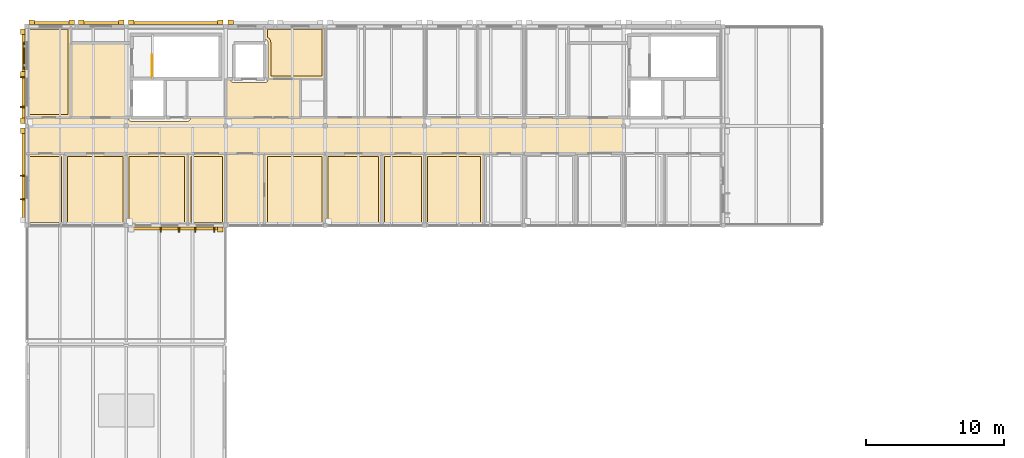
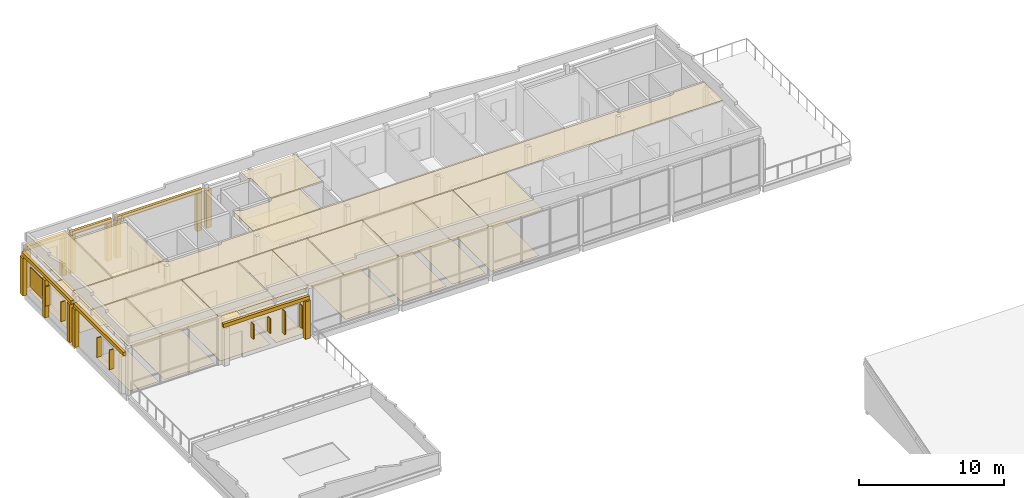
# One storey, part 30 of 32: 42 coverings, 9 shading devices, 1 railing.
"""IFC4 building model written with IfcOpenShell, lengths in metres."""

from ifc_helpers import new_model, si_unit, direction, frame, origin, origin_2d, place, context, subcontext, project, spatial, polyline, rectangle, circle, outline, extrude, material, layer, layer_set, type_object, element, save


model = new_model("IFC4")

# Units and contexts
model_context = context("Model", 3, precision=1e-05, world=origin(), true_north=direction((0.0, 1.0)))
body_context = subcontext(model_context, "Body", "Model", "MODEL_VIEW")
ifc_project = project(units=[si_unit("LENGTHUNIT", "METRE"), si_unit("AREAUNIT", "SQUARE_METRE"), si_unit("VOLUMEUNIT", "CUBIC_METRE"), si_unit("PLANEANGLEUNIT", "RADIAN"), si_unit("MASSUNIT", "GRAM", prefix="KILO")], contexts=[model_context])

# Site, building, storey
site_placement = place(None, origin())
site = spatial("IfcSite", under=ifc_project, at=site_placement, CompositionType="ELEMENT")
building_placement = place(site_placement, origin())
building = spatial("IfcBuilding", under=site, at=building_placement, Name="Hawrajan Terrace Health Centre", CompositionType="ELEMENT")
storey_placement = place(building_placement, frame((0.0, 0.0, 17.39990234375)))
storey = spatial("IfcBuildingStorey", under=building, at=storey_placement, Name="L04", CompositionType="ELEMENT", Elevation=17.39990234375)

# Coverings
ifc_material_1 = material(Name="Precast concrete C40/50", Category="concrete")
ifc_layer_1 = layer(ifc_material_1, 0.219970703125)
ifc_layer_set_1 = layer_set([ifc_layer_1], Name="Precast concrete C40/50")
covering_type_1 = type_object("IfcCoveringType", Name="ArtDecoCorniceBand", PredefinedType="CLADDING", material=ifc_layer_set_1)
covering_1_placement = place(storey_placement, frame((4.364990234375, 49.010009765625, 3.18017578125), z_axis=(0.0, 0.0, 1.0), x_axis=(0.0, 1.0, 0.0)))
element("IfcCovering", 1, at=covering_1_placement, inside=storey, type_object=covering_type_1, Name="Art Deco limestone cornice band CRN-L04-0190", PredefinedType="CLADDING", context=body_context, shape_type="SweptSolid", body=[
    extrude(rectangle(XDim=6.860107421875, YDim=0.219970703125, at=origin_2d()), origin(), (0.0, 0.0, 1.0), 0.300048828125),
])
covering_2_placement = place(storey_placement, frame((6.419921875, 60.034912109375, 3.18017578125), z_axis=(0.0, 0.0, 1.0), x_axis=(1.0, 0.0, 0.0)))
element("IfcCovering", 2, at=covering_2_placement, inside=storey, type_object=covering_type_1, Name="Art Deco limestone cornice band CRN-L04-0191", PredefinedType="CLADDING", context=body_context, shape_type="SweptSolid", body=[
    extrude(rectangle(XDim=3.280029296875, YDim=0.219970703125, at=origin_2d()), origin(), (0.0, 0.0, 1.0), 0.300048828125),
])
covering_3_placement = place(storey_placement, frame((9.989990234375, 60.034912109375, 3.18017578125), z_axis=(0.0, 0.0, 1.0), x_axis=(1.0, 0.0, 0.0)))
element("IfcCovering", 3, at=covering_3_placement, inside=storey, type_object=covering_type_1, Name="Art Deco limestone cornice band CRN-L04-0192", PredefinedType="CLADDING", context=body_context, shape_type="SweptSolid", body=[
    extrude(rectangle(XDim=3.300048828125, YDim=0.219970703125, at=origin_2d()), origin(), (0.0, 0.0, 1.0), 0.300048828125),
])
for number, where, z_axis, x_axis, name in (
    (4, (4.364990234375, 56.18994140625, 3.18017578125), (0.0, 0.0, 1.0), (0.0, 1.0, 0.0), "Art Deco limestone cornice band CRN-L04-0193"),
    (5, (15.389892578125, 45.1650390625, 3.18017578125), (0.0, 0.0, 1.0), (1.0, 0.0, 0.0), "Art Deco limestone cornice band CRN-L04-0194"),
    (6, (15.389892578125, 60.034912109375, 3.18017578125), (0.0, 0.0, 1.0), (1.0, 0.0, 0.0), "Art Deco limestone cornice band CRN-L04-0195"),
):
    element("IfcCovering", number, at=place(storey_placement, frame(where, z_axis=z_axis, x_axis=x_axis)), inside=storey, type_object=covering_type_1, Name=name, PredefinedType="CLADDING", context=body_context, shape_type="SweptSolid", body=[
        extrude(rectangle(XDim=6.860107421875, YDim=0.219970703125, at=origin_2d()), origin(), (0.0, 0.0, 1.0), 0.300048828125),
    ])
ifc_layer_2 = layer(ifc_material_1, 0.340087890625)
ifc_layer_set_2 = layer_set([ifc_layer_2], Name="Precast concrete C40/50")
covering_type_2 = type_object("IfcCoveringType", Name="ArtDecoStonePilaster", PredefinedType="CLADDING", material=ifc_layer_set_2)
for number, where, z_axis, x_axis, name in (
    (7, (4.304931640625, 52.239990234375, 0.000244140625), (0.0, 0.0, 1.0), (0.0, 1.0, 0.0), "Art Deco fluted limestone pilaster FPIL-L04-0380"),
    (8, (4.97998046875, 60.094970703125, 0.000244140625), (0.0, 0.0, 1.0), (1.0, 0.0, 0.0), "Art Deco fluted limestone pilaster FPIL-L04-0381"),
    (9, (7.860107421875, 60.094970703125, 0.000244140625), (0.0, 0.0, 1.0), (1.0, 0.0, 0.0), "Art Deco fluted limestone pilaster FPIL-L04-0382"),
    (10, (8.5400390625, 60.094970703125, 0.000244140625), (0.0, 0.0, 1.0), (1.0, 0.0, 0.0), "Art Deco fluted limestone pilaster FPIL-L04-0383"),
    (11, (11.43994140625, 60.094970703125, 0.000244140625), (0.0, 0.0, 1.0), (1.0, 0.0, 0.0), "Art Deco fluted limestone pilaster FPIL-L04-0384"),
    (12, (4.304931640625, 52.9599609375, 0.000244140625), (0.0, 0.0, 1.0), (0.0, 1.0, 0.0), "Art Deco fluted limestone pilaster FPIL-L04-0385"),
    (13, (4.304931640625, 59.419921875, 0.000244140625), (0.0, 0.0, 1.0), (0.0, 1.0, 0.0), "Art Deco fluted limestone pilaster FPIL-L04-0386"),
):
    element("IfcCovering", number, at=place(storey_placement, frame(where, z_axis=z_axis, x_axis=x_axis)), inside=storey, type_object=covering_type_2, Name=name, PredefinedType="CLADDING", context=body_context, shape_type="SweptSolid", body=[
        extrude(rectangle(XDim=0.39990234375, YDim=0.340087890625, at=origin_2d()), origin(), (0.0, 0.0, 1.0), 3.169921875),
    ])
covering_4_placement = place(storey_placement, frame((4.304931640625, 56.360107421875, 0.000244140625), z_axis=(0.0, 0.0, 1.0), x_axis=(0.0, 1.0, 0.0)))
element("IfcCovering", 14, at=covering_4_placement, inside=storey, type_object=covering_type_2, Name="Art Deco mullion pilaster FPIL-L04-0387", PredefinedType="CLADDING", context=body_context, shape_type="SweptSolid", body=[
    extrude(rectangle(XDim=0.360107421875, YDim=0.340087890625, at=origin_2d()), origin(), (0.0, 0.0, 1.0), 3.169921875),
])
for number, where, z_axis, x_axis, name in (
    (15, (18.6201171875, 45.10498046875, 0.000244140625), (0.0, 0.0, 1.0), (1.0, 0.0, 0.0), "Art Deco fluted limestone pilaster FPIL-L04-0389"),
    (16, (12.159912109375, 60.094970703125, 0.000244140625), (0.0, 0.0, 1.0), (1.0, 0.0, 0.0), "Art Deco fluted limestone pilaster FPIL-L04-0390"),
    (17, (18.6201171875, 60.094970703125, 0.000244140625), (0.0, 0.0, 1.0), (1.0, 0.0, 0.0), "Art Deco fluted limestone pilaster FPIL-L04-0391"),
    (18, (19.3798828125, 60.094970703125, 0.000244140625), (0.0, 0.0, 1.0), (1.0, 0.0, 0.0), "Art Deco fluted limestone pilaster FPIL-L04-0392"),
):
    element("IfcCovering", number, at=place(storey_placement, frame(where, z_axis=z_axis, x_axis=x_axis)), inside=storey, type_object=covering_type_2, Name=name, PredefinedType="CLADDING", context=body_context, shape_type="SweptSolid", body=[
        extrude(rectangle(XDim=0.39990234375, YDim=0.340087890625, at=origin_2d()), origin(), (0.0, 0.0, 1.0), 3.169921875),
    ])
ifc_material_2 = material(Name="Hygienic mineral-fibre acoustic tile ceiling")
ifc_layer_3 = layer(ifc_material_2, 0.02490234375)
ifc_layer_set_3 = layer_set([ifc_layer_3], Name="Hygienic mineral-fibre acoustic tile ceiling")
covering_type_3 = type_object("IfcCoveringType", Name="ClinicalAcousticCeiling_25", PredefinedType="CEILING", material=ifc_layer_set_3)
covering_5_placement = place(storey_placement, frame((0.0, 0.0, 3.905029296875)))
element("IfcCovering", 19, at=covering_5_placement, inside=storey, type_object=covering_type_3, Name="Suspended ceiling L04-008", PredefinedType="CEILING", context=body_context, shape_type="SweptSolid", body=[
    extrude(outline(polyline([(7.820068359375, 53.219970703125), (7.820068359375, 58.580078125), (11.929931640625, 58.580078125), (11.929931640625, 53.219970703125), (7.820068359375, 53.219970703125)])), origin(), (0.0, 0.0, 1.0), 0.025146484375),
])
covering_6_placement = place(storey_placement, frame((0.0, 0.0, 3.905029296875)))
element("IfcCovering", 20, at=covering_6_placement, inside=storey, type_object=covering_type_3, Name="Suspended ceiling L04-010", PredefinedType="CEILING", context=body_context, shape_type="SweptSolid", body=[
    extrude(outline(polyline([(24.3798828125, 55.97998046875), (24.3798828125, 53.219970703125), (19.02001953125, 53.219970703125), (19.02001953125, 55.97998046875), (19.3310546875, 55.97998046875), (19.331298828125, 55.974609375), (19.331298828125, 55.97265625), (19.3349609375, 55.9482421875), (19.33544921875, 55.9462890625), (19.34130859375, 55.922607421875), (19.341796875, 55.920654296875), (19.35009765625, 55.897705078125), (19.35107421875, 55.895751953125), (19.361328125, 55.87353515625), (19.3623046875, 55.871826171875), (19.375, 55.850830078125), (19.376220703125, 55.84912109375), (19.390625, 55.82958984375), (19.391845703125, 55.827880859375), (19.408447265625, 55.809814453125), (19.409912109375, 55.808349609375), (19.427978515625, 55.7919921875), (19.429443359375, 55.790771484375), (19.44921875, 55.776123046875), (19.45068359375, 55.77490234375), (19.471923828125, 55.762451171875), (19.4736328125, 55.761474609375), (19.495849609375, 55.7509765625), (19.49755859375, 55.750244140625), (19.520751953125, 55.741943359375), (19.522705078125, 55.741455078125), (19.54638671875, 55.7353515625), (19.54833984375, 55.735107421875), (19.572509765625, 55.7314453125), (19.574462890625, 55.731201171875), (19.59912109375, 55.72998046875), (19.60009765625, 55.72998046875), (21.800048828125, 55.72998046875), (21.801025390625, 55.72998046875), (21.825439453125, 55.731201171875), (21.827392578125, 55.7314453125), (21.851806640625, 55.735107421875), (21.853515625, 55.7353515625), (21.87744140625, 55.741455078125), (21.87939453125, 55.741943359375), (21.90234375, 55.750244140625), (21.904296875, 55.7509765625), (21.926513671875, 55.761474609375), (21.927978515625, 55.762451171875), (21.94921875, 55.77490234375), (21.95068359375, 55.776123046875), (21.970458984375, 55.790771484375), (21.971923828125, 55.7919921875), (21.990234375, 55.808349609375), (21.99169921875, 55.809814453125), (22.008056640625, 55.827880859375), (22.00927734375, 55.82958984375), (22.02392578125, 55.84912109375), (22.02490234375, 55.850830078125), (22.03759765625, 55.871826171875), (22.03857421875, 55.87353515625), (22.049072265625, 55.895751953125), (22.0498046875, 55.897705078125), (22.05810546875, 55.920654296875), (22.05859375, 55.922607421875), (22.064697265625, 55.9462890625), (22.06494140625, 55.9482421875), (22.068603515625, 55.97265625), (22.06884765625, 55.974609375), (22.069091796875, 55.97998046875), (24.3798828125, 55.97998046875)])), origin(), (0.0, 0.0, 1.0), 0.025146484375),
])
covering_7_placement = place(storey_placement, frame((0.0, 0.0, 3.905029296875)))
element("IfcCovering", 21, at=covering_7_placement, inside=storey, type_object=covering_type_3, Name="Suspended ceiling L04-011", PredefinedType="CEILING", context=body_context, shape_type="SweptSolid", body=[
    extrude(outline(polyline([(54.97998046875, 53.179931640625), (54.97998046875, 50.6201171875), (4.6201171875, 50.6201171875), (4.6201171875, 53.179931640625), (11.930908203125, 53.179931640625), (11.93115234375, 53.174560546875), (11.931396484375, 53.172607421875), (11.93505859375, 53.148193359375), (11.935302734375, 53.146484375), (11.94140625, 53.12255859375), (11.94189453125, 53.12060546875), (11.9501953125, 53.09765625), (11.950927734375, 53.095703125), (11.96142578125, 53.073486328125), (11.96240234375, 53.072021484375), (11.97509765625, 53.05078125), (11.97607421875, 53.04931640625), (11.99072265625, 53.029541015625), (11.991943359375, 53.028076171875), (12.00830078125, 53.009765625), (12.009765625, 53.00830078125), (12.028076171875, 52.991943359375), (12.029541015625, 52.99072265625), (12.04931640625, 52.97607421875), (12.05078125, 52.97509765625), (12.072021484375, 52.96240234375), (12.073486328125, 52.96142578125), (12.095703125, 52.950927734375), (12.09765625, 52.9501953125), (12.12060546875, 52.94189453125), (12.12255859375, 52.94140625), (12.146484375, 52.935302734375), (12.148193359375, 52.93505859375), (12.172607421875, 52.931396484375), (12.174560546875, 52.93115234375), (12.198974609375, 52.929931640625), (12.199951171875, 52.929931640625), (16.199951171875, 52.929931640625), (16.200927734375, 52.929931640625), (16.2255859375, 52.93115234375), (16.227294921875, 52.931396484375), (16.251708984375, 52.93505859375), (16.253662109375, 52.935302734375), (16.27734375, 52.94140625), (16.279296875, 52.94189453125), (16.302490234375, 52.9501953125), (16.30419921875, 52.950927734375), (16.326416015625, 52.96142578125), (16.328125, 52.96240234375), (16.34912109375, 52.97509765625), (16.350830078125, 52.97607421875), (16.37060546875, 52.99072265625), (16.3720703125, 52.991943359375), (16.39013671875, 53.00830078125), (16.3916015625, 53.009765625), (16.408203125, 53.028076171875), (16.4091796875, 53.029541015625), (16.423828125, 53.04931640625), (16.425048828125, 53.05078125), (16.4375, 53.072021484375), (16.438720703125, 53.073486328125), (16.448974609375, 53.095703125), (16.44970703125, 53.09765625), (16.4580078125, 53.12060546875), (16.45849609375, 53.12255859375), (16.464599609375, 53.146484375), (16.465087890625, 53.148193359375), (16.468505859375, 53.172607421875), (16.46875, 53.174560546875), (16.468994140625, 53.179931640625), (47.930908203125, 53.179931640625), (47.93115234375, 53.174560546875), (47.931396484375, 53.172607421875), (47.93505859375, 53.148193359375), (47.935302734375, 53.146484375), (47.94140625, 53.12255859375), (47.94189453125, 53.12060546875), (47.9501953125, 53.09765625), (47.950927734375, 53.095703125), (47.96142578125, 53.073486328125), (47.96240234375, 53.072021484375), (47.97509765625, 53.05078125), (47.97607421875, 53.04931640625), (47.99072265625, 53.029541015625), (47.991943359375, 53.028076171875), (48.00830078125, 53.009765625), (48.009765625, 53.00830078125), (48.028076171875, 52.991943359375), (48.029541015625, 52.99072265625), (48.04931640625, 52.97607421875), (48.05078125, 52.97509765625), (48.072021484375, 52.96240234375), (48.073486328125, 52.96142578125), (48.095703125, 52.950927734375), (48.09765625, 52.9501953125), (48.12060546875, 52.94189453125), (48.12255859375, 52.94140625), (48.146484375, 52.935302734375), (48.148193359375, 52.93505859375), (48.172607421875, 52.931396484375), (48.174560546875, 52.93115234375), (48.198974609375, 52.929931640625), (48.199951171875, 52.929931640625), (52.199951171875, 52.929931640625), (52.200927734375, 52.929931640625), (52.2255859375, 52.93115234375), (52.227294921875, 52.931396484375), (52.251708984375, 52.93505859375), (52.253662109375, 52.935302734375), (52.27734375, 52.94140625), (52.279296875, 52.94189453125), (52.302490234375, 52.9501953125), (52.30419921875, 52.950927734375), (52.326416015625, 52.96142578125), (52.328125, 52.96240234375), (52.34912109375, 52.97509765625), (52.350830078125, 52.97607421875), (52.37060546875, 52.99072265625), (52.3720703125, 52.991943359375), (52.39013671875, 53.00830078125), (52.3916015625, 53.009765625), (52.408203125, 53.028076171875), (52.4091796875, 53.029541015625), (52.423828125, 53.04931640625), (52.425048828125, 53.05078125), (52.4375, 53.072021484375), (52.438720703125, 53.073486328125), (52.448974609375, 53.095703125), (52.44970703125, 53.09765625), (52.4580078125, 53.12060546875), (52.45849609375, 53.12255859375), (52.464599609375, 53.146484375), (52.465087890625, 53.148193359375), (52.468505859375, 53.172607421875), (52.46875, 53.174560546875), (52.468994140625, 53.179931640625), (54.97998046875, 53.179931640625)])), origin(), (0.0, 0.0, 1.0), 0.025146484375),
])
covering_8_placement = place(storey_placement, frame((0.0, 0.0, 3.905029296875)))
element("IfcCovering", 22, at=covering_8_placement, inside=storey, type_object=covering_type_3, Name="Suspended ceiling L04-012", PredefinedType="CEILING", context=body_context, shape_type="SweptSolid", body=[
    extrude(outline(polyline([(19.02001953125, 50.580078125), (21.780029296875, 50.580078125), (21.780029296875, 45.419921875), (19.02001953125, 45.419921875), (19.02001953125, 50.580078125)])), origin(), (0.0, 0.0, 1.0), 0.025146484375),
])
covering_9_placement = place(storey_placement, frame((0.0, 0.0, 3.905029296875)))
element("IfcCovering", 23, at=covering_9_placement, inside=storey, type_object=covering_type_3, Name="Suspended ceiling L04-015", PredefinedType="CEILING", context=body_context, shape_type="SweptSolid", body=[
    extrude(outline(polyline([(4.6201171875, 50.580078125), (7.3232421875, 50.580078125), (7.3232421875, 45.419921875), (4.6201171875, 45.419921875), (4.6201171875, 50.580078125)])), origin(), (0.0, 0.0, 1.0), 0.025146484375),
])
covering_10_placement = place(storey_placement, frame((0.0, 0.0, 3.905029296875)))
element("IfcCovering", 24, at=covering_10_placement, inside=storey, type_object=covering_type_3, Name="Suspended ceiling L04-016", PredefinedType="CEILING", context=body_context, shape_type="SweptSolid", body=[
    extrude(outline(polyline([(7.36328125, 50.580078125), (11.780029296875, 50.580078125), (11.780029296875, 45.419921875), (7.36328125, 45.419921875), (7.36328125, 50.580078125)])), origin(), (0.0, 0.0, 1.0), 0.025146484375),
])
covering_11_placement = place(storey_placement, frame((0.0, 0.0, 3.905029296875)))
element("IfcCovering", 25, at=covering_11_placement, inside=storey, type_object=covering_type_3, Name="Suspended ceiling L04-017", PredefinedType="CEILING", context=body_context, shape_type="SweptSolid", body=[
    extrude(outline(polyline([(4.6201171875, 59.780029296875), (7.780029296875, 59.780029296875), (7.780029296875, 53.219970703125), (4.6201171875, 53.219970703125), (4.6201171875, 59.780029296875)])), origin(), (0.0, 0.0, 1.0), 0.025146484375),
])
covering_12_placement = place(storey_placement, frame((0.0, 0.0, 3.905029296875)))
element("IfcCovering", 26, at=covering_12_placement, inside=storey, type_object=covering_type_3, Name="Suspended ceiling L04-018", PredefinedType="CEILING", context=body_context, shape_type="SweptSolid", body=[
    extrude(outline(polyline([(11.820068359375, 50.580078125), (16.23681640625, 50.580078125), (16.23681640625, 45.419921875), (11.820068359375, 45.419921875), (11.820068359375, 50.580078125)])), origin(), (0.0, 0.0, 1.0), 0.025146484375),
])
covering_13_placement = place(storey_placement, frame((0.0, 0.0, 3.905029296875)))
element("IfcCovering", 27, at=covering_13_placement, inside=storey, type_object=covering_type_3, Name="Suspended ceiling L04-019", PredefinedType="CEILING", context=body_context, shape_type="SweptSolid", body=[
    extrude(outline(polyline([(16.27685546875, 50.580078125), (18.97998046875, 50.580078125), (18.97998046875, 45.419921875), (16.27685546875, 45.419921875), (16.27685546875, 50.580078125)])), origin(), (0.0, 0.0, 1.0), 0.025146484375),
])
covering_14_placement = place(storey_placement, frame((0.0, 0.0, 3.905029296875)))
element("IfcCovering", 28, at=covering_14_placement, inside=storey, type_object=covering_type_3, Name="Suspended ceiling L04-020", PredefinedType="CEILING", context=body_context, shape_type="SweptSolid", body=[
    extrude(outline(polyline([(21.820068359375, 50.580078125), (26.179931640625, 50.580078125), (26.179931640625, 45.419921875), (21.820068359375, 45.419921875), (21.820068359375, 50.580078125)])), origin(), (0.0, 0.0, 1.0), 0.025146484375),
])
covering_15_placement = place(storey_placement, frame((0.0, 0.0, 3.905029296875)))
element("IfcCovering", 29, at=covering_15_placement, inside=storey, type_object=covering_type_3, Name="Suspended ceiling L04-021", PredefinedType="CEILING", context=body_context, shape_type="SweptSolid", body=[
    extrude(outline(polyline([(21.820068359375, 59.780029296875), (26.179931640625, 59.780029296875), (26.179931640625, 56.02001953125), (22.070068359375, 56.02001953125), (22.070068359375, 58.60009765625), (22.070068359375, 58.60107421875), (22.06884765625, 58.62548828125), (22.068603515625, 58.62744140625), (22.06494140625, 58.651611328125), (22.064697265625, 58.653564453125), (22.05859375, 58.677490234375), (22.05810546875, 58.67919921875), (22.0498046875, 58.702392578125), (22.049072265625, 58.7041015625), (22.03857421875, 58.726318359375), (22.03759765625, 58.72802734375), (22.02490234375, 58.749267578125), (22.02392578125, 58.750732421875), (22.00927734375, 58.7705078125), (22.008056640625, 58.77197265625), (21.99169921875, 58.790283203125), (21.990234375, 58.79150390625), (21.971923828125, 58.80810546875), (21.970458984375, 58.809326171875), (21.95068359375, 58.823974609375), (21.94921875, 58.824951171875), (21.927978515625, 58.837646484375), (21.926513671875, 58.838623046875), (21.904296875, 58.84912109375), (21.90234375, 58.849853515625), (21.87939453125, 58.858154296875), (21.87744140625, 58.858642578125), (21.853515625, 58.864501953125), (21.851806640625, 58.864990234375), (21.827392578125, 58.86865234375), (21.825439453125, 58.868896484375), (21.820068359375, 58.868896484375), (21.820068359375, 59.780029296875)])), origin(), (0.0, 0.0, 1.0), 0.025146484375),
])
covering_16_placement = place(storey_placement, frame((0.0, 0.0, 3.905029296875)))
element("IfcCovering", 30, at=covering_16_placement, inside=storey, type_object=covering_type_3, Name="Suspended ceiling L04-022", PredefinedType="CEILING", context=body_context, shape_type="SweptSolid", body=[
    extrude(outline(polyline([(26.219970703125, 50.580078125), (30.26953125, 50.580078125), (30.26953125, 45.419921875), (26.219970703125, 45.419921875), (26.219970703125, 50.580078125)])), origin(), (0.0, 0.0, 1.0), 0.025146484375),
])
covering_17_placement = place(storey_placement, frame((0.0, 0.0, 3.905029296875)))
element("IfcCovering", 31, at=covering_17_placement, inside=storey, type_object=covering_type_3, Name="Suspended ceiling L04-023", PredefinedType="CEILING", context=body_context, shape_type="SweptSolid", body=[
    extrude(outline(polyline([(30.3095703125, 50.580078125), (33.3798828125, 50.580078125), (33.3798828125, 45.419921875), (30.3095703125, 45.419921875), (30.3095703125, 50.580078125)])), origin(), (0.0, 0.0, 1.0), 0.025146484375),
])
covering_18_placement = place(storey_placement, frame((0.0, 0.0, 3.905029296875)))
element("IfcCovering", 32, at=covering_18_placement, inside=storey, type_object=covering_type_3, Name="Suspended ceiling L04-024", PredefinedType="CEILING", context=body_context, shape_type="SweptSolid", body=[
    extrude(outline(polyline([(33.419921875, 50.580078125), (37.649658203125, 50.580078125), (37.649658203125, 45.419921875), (33.419921875, 45.419921875), (33.419921875, 50.580078125)])), origin(), (0.0, 0.0, 1.0), 0.025146484375),
])
ifc_material_3 = material(Name="Seamless medical-grade cushioned vinyl flooring")
ifc_layer_4 = layer(ifc_material_3, 0.011962890625)
ifc_layer_set_4 = layer_set([ifc_layer_4], Name="Seamless medical-grade cushioned vinyl flooring")
covering_type_4 = type_object("IfcCoveringType", Name="ClinicalVinylFlooring_12", PredefinedType="FLOORING", material=ifc_layer_set_4)
covering_19_placement = place(storey_placement, origin())
element("IfcCovering", 33, at=covering_19_placement, inside=storey, type_object=covering_type_4, Name="Floor finish L04-015", PredefinedType="FLOORING", context=body_context, shape_type="SweptSolid", body=[
    extrude(outline(polyline([(4.820068359375, 50.3798828125), (7.123291015625, 50.3798828125), (7.123291015625, 45.6201171875), (4.820068359375, 45.6201171875), (4.820068359375, 50.3798828125)])), origin(), (0.0, 0.0, 1.0), 0.01220703125),
])
covering_20_placement = place(storey_placement, origin())
element("IfcCovering", 34, at=covering_20_placement, inside=storey, type_object=covering_type_4, Name="Floor finish L04-016", PredefinedType="FLOORING", context=body_context, shape_type="SweptSolid", body=[
    extrude(outline(polyline([(7.563232421875, 50.3798828125), (11.580078125, 50.3798828125), (11.580078125, 45.6201171875), (7.563232421875, 45.6201171875), (7.563232421875, 50.3798828125)])), origin(), (0.0, 0.0, 1.0), 0.01220703125),
])
covering_21_placement = place(storey_placement, origin())
element("IfcCovering", 35, at=covering_21_placement, inside=storey, type_object=covering_type_4, Name="Floor finish L04-017", PredefinedType="FLOORING", context=body_context, shape_type="SweptSolid", body=[
    extrude(outline(polyline([(4.820068359375, 59.580078125), (7.580078125, 59.580078125), (7.580078125, 53.419921875), (4.820068359375, 53.419921875), (4.820068359375, 59.580078125)])), origin(), (0.0, 0.0, 1.0), 0.01220703125),
])
covering_22_placement = place(storey_placement, origin())
element("IfcCovering", 36, at=covering_22_placement, inside=storey, type_object=covering_type_4, Name="Floor finish L04-018", PredefinedType="FLOORING", context=body_context, shape_type="SweptSolid", body=[
    extrude(outline(polyline([(12.02001953125, 50.3798828125), (16.036865234375, 50.3798828125), (16.036865234375, 45.6201171875), (12.02001953125, 45.6201171875), (12.02001953125, 50.3798828125)])), origin(), (0.0, 0.0, 1.0), 0.01220703125),
])
covering_23_placement = place(storey_placement, origin())
element("IfcCovering", 37, at=covering_23_placement, inside=storey, type_object=covering_type_4, Name="Floor finish L04-019", PredefinedType="FLOORING", context=body_context, shape_type="SweptSolid", body=[
    extrude(outline(polyline([(16.476806640625, 50.3798828125), (18.780029296875, 50.3798828125), (18.780029296875, 45.6201171875), (16.476806640625, 45.6201171875), (16.476806640625, 50.3798828125)])), origin(), (0.0, 0.0, 1.0), 0.01220703125),
])
covering_24_placement = place(storey_placement, origin())
element("IfcCovering", 38, at=covering_24_placement, inside=storey, type_object=covering_type_4, Name="Floor finish L04-020", PredefinedType="FLOORING", context=body_context, shape_type="SweptSolid", body=[
    extrude(outline(polyline([(22.02001953125, 50.3798828125), (25.97998046875, 50.3798828125), (25.97998046875, 45.6201171875), (22.02001953125, 45.6201171875), (22.02001953125, 50.3798828125)])), origin(), (0.0, 0.0, 1.0), 0.01220703125),
])
covering_25_placement = place(storey_placement, origin())
element("IfcCovering", 39, at=covering_25_placement, inside=storey, type_object=covering_type_4, Name="Floor finish L04-021", PredefinedType="FLOORING", context=body_context, shape_type="SweptSolid", body=[
    extrude(outline(polyline([(22.02001953125, 59.015380859375), (22.02001953125, 59.580078125), (25.97998046875, 59.580078125), (25.97998046875, 56.219970703125), (22.27001953125, 56.219970703125), (22.27001953125, 58.60009765625), (22.27001953125, 58.60498046875), (22.27001953125, 58.60595703125), (22.269775390625, 58.61083984375), (22.2685546875, 58.63525390625), (22.267822265625, 58.64501953125), (22.267578125, 58.64697265625), (22.266357421875, 58.65673828125), (22.2626953125, 58.68115234375), (22.260986328125, 58.690673828125), (22.2607421875, 58.692626953125), (22.258544921875, 58.7021484375), (22.252685546875, 58.72607421875), (22.25, 58.735595703125), (22.24951171875, 58.7373046875), (22.246337890625, 58.74658203125), (22.238037109375, 58.769775390625), (22.234619140625, 58.77880859375), (22.23388671875, 58.78076171875), (22.229736328125, 58.789794921875), (22.219482421875, 58.81201171875), (22.21484375, 58.82080078125), (22.214111328125, 58.822509765625), (22.209228515625, 58.8310546875), (22.196533203125, 58.85205078125), (22.19140625, 58.8603515625), (22.190185546875, 58.86181640625), (22.1845703125, 58.869873046875), (22.169921875, 58.8896484375), (22.163818359375, 58.8974609375), (22.16259765625, 58.89892578125), (22.15625, 58.90625), (22.139892578125, 58.924560546875), (22.133056640625, 58.931640625), (22.131591796875, 58.93310546875), (22.12451171875, 58.939697265625), (22.106201171875, 58.956298828125), (22.098876953125, 58.962646484375), (22.097412109375, 58.9638671875), (22.089599609375, 58.969970703125), (22.06982421875, 58.984619140625), (22.06201171875, 58.990234375), (22.060302734375, 58.9912109375), (22.052001953125, 58.99658203125), (22.031005859375, 59.00927734375), (22.0224609375, 59.013916015625), (22.020751953125, 59.014892578125), (22.02001953125, 59.015380859375)])), origin(), (0.0, 0.0, 1.0), 0.01220703125),
])
covering_26_placement = place(storey_placement, origin())
element("IfcCovering", 40, at=covering_26_placement, inside=storey, type_object=covering_type_4, Name="Floor finish L04-022", PredefinedType="FLOORING", context=body_context, shape_type="SweptSolid", body=[
    extrude(outline(polyline([(26.419921875, 50.3798828125), (30.069580078125, 50.3798828125), (30.069580078125, 45.6201171875), (26.419921875, 45.6201171875), (26.419921875, 50.3798828125)])), origin(), (0.0, 0.0, 1.0), 0.01220703125),
])
covering_27_placement = place(storey_placement, origin())
element("IfcCovering", 41, at=covering_27_placement, inside=storey, type_object=covering_type_4, Name="Floor finish L04-023", PredefinedType="FLOORING", context=body_context, shape_type="SweptSolid", body=[
    extrude(outline(polyline([(30.509521484375, 50.3798828125), (33.179931640625, 50.3798828125), (33.179931640625, 45.6201171875), (30.509521484375, 45.6201171875), (30.509521484375, 50.3798828125)])), origin(), (0.0, 0.0, 1.0), 0.01220703125),
])
covering_28_placement = place(storey_placement, origin())
element("IfcCovering", 42, at=covering_28_placement, inside=storey, type_object=covering_type_4, Name="Floor finish L04-024", PredefinedType="FLOORING", context=body_context, shape_type="SweptSolid", body=[
    extrude(outline(polyline([(33.6201171875, 50.3798828125), (37.44970703125, 50.3798828125), (37.44970703125, 45.6201171875), (33.6201171875, 45.6201171875), (33.6201171875, 50.3798828125)])), origin(), (0.0, 0.0, 1.0), 0.01220703125),
])

# Shading devices
ifc_material_4 = material(Name="Anodized bronze mashrabiya vertical solar fin")
ifc_layer_5 = layer(ifc_material_4, 0.080078125)
ifc_layer_set_5 = layer_set([ifc_layer_5], Name="Anodized bronze mashrabiya vertical solar fin")
shading_device_type_1 = type_object("IfcShadingDeviceType", Name="MashrabiyaVerticalFin", PredefinedType="USERDEFINED", material=ifc_layer_set_5)
for number, where, z_axis, x_axis, name in (
    (43, (4.294921875, 47.280029296875, 1.050048828125), (0.0, 0.0, 1.0), (0.0, 1.0, 0.0), "Bronze mashrabiya solar fin FIN-L04-0244"),
    (44, (4.294921875, 49.0, 1.050048828125), (0.0, 0.0, 1.0), (0.0, 1.0, 0.0), "Bronze mashrabiya solar fin FIN-L04-0245"),
    (45, (4.294921875, 53.969970703125, 1.050048828125), (0.0, 0.0, 1.0), (0.0, 1.0, 0.0), "Bronze mashrabiya solar fin FIN-L04-0246"),
    (46, (4.294921875, 56.110107421875, 1.050048828125), (0.0, 0.0, 1.0), (0.0, 1.0, 0.0), "Bronze mashrabiya solar fin FIN-L04-0247"),
):
    element("IfcShadingDevice", number, at=place(storey_placement, frame(where, z_axis=z_axis, x_axis=x_axis)), inside=storey, type_object=shading_device_type_1, Name=name, ObjectType="SOLAR_FIN", PredefinedType="USERDEFINED", context=body_context, shape_type="SweptSolid", body=[
        extrude(rectangle(XDim=0.080078125, YDim=0.360107421875, at=origin_2d()), origin(), (0.0, 0.0, 1.0), 1.64990234375),
    ])
for number, where, z_axis, x_axis, name in (
    (47, (14.288330078125, 45.094970703125, 1.5), (0.0, 0.0, 1.0), (1.0, 0.0, 0.0), "Bronze mashrabiya solar fin FIN-L04-0249"),
    (48, (15.618408203125, 45.094970703125, 1.5), (0.0, 0.0, 1.0), (1.0, 0.0, 0.0), "Bronze mashrabiya solar fin FIN-L04-0250"),
):
    element("IfcShadingDevice", number, at=place(storey_placement, frame(where, z_axis=z_axis, x_axis=x_axis)), inside=storey, type_object=shading_device_type_1, Name=name, ObjectType="SOLAR_FIN", PredefinedType="USERDEFINED", context=body_context, shape_type="SweptSolid", body=[
        extrude(rectangle(XDim=0.080078125, YDim=0.360107421875, at=origin_2d()), origin(), (0.0, 0.0, 1.0), 1.25),
    ])
for number, where, z_axis, x_axis, name in (
    (49, (16.79833984375, 45.094970703125, 1.0), (0.0, 0.0, 1.0), (1.0, 0.0, 0.0), "Bronze mashrabiya solar fin FIN-L04-0251"),
    (50, (18.178466796875, 45.094970703125, 1.0), (0.0, 0.0, 1.0), (1.0, 0.0, 0.0), "Bronze mashrabiya solar fin FIN-L04-0252"),
):
    element("IfcShadingDevice", number, at=place(storey_placement, frame(where, z_axis=z_axis, x_axis=x_axis)), inside=storey, type_object=shading_device_type_1, Name=name, ObjectType="SOLAR_FIN", PredefinedType="USERDEFINED", context=body_context, shape_type="SweptSolid", body=[
        extrude(rectangle(XDim=0.080078125, YDim=0.360107421875, at=origin_2d()), origin(), (0.0, 0.0, 1.0), 1.949951171875),
    ])
ifc_material_5 = material(Name="Anodized bronze and cedar roshan lattice")
ifc_layer_6 = layer(ifc_material_5, 0.080078125)
ifc_layer_set_6 = layer_set([ifc_layer_6], Name="Anodized bronze and cedar roshan lattice")
shading_device_type_2 = type_object("IfcShadingDeviceType", Name="RoshanScreen_BronzeCedar", PredefinedType="JALOUSIE", material=ifc_layer_set_6)
shading_device_placement = place(storey_placement, frame((4.429931640625, 57.679931640625, 1.050048828125), z_axis=(0.0, 0.0, 1.0), x_axis=(0.0, 1.0, 0.0)))
element("IfcShadingDevice", 51, at=shading_device_placement, inside=storey, type_object=shading_device_type_2, Name="Hijazi roshan solar screen RSH-L04-248", PredefinedType="JALOUSIE", context=body_context, shape_type="SweptSolid", body=[
    extrude(rectangle(XDim=1.9599609375, YDim=0.080078125, at=origin_2d()), origin(), (0.0, 0.0, 1.0), 1.64990234375),
])

# Railing
ifc_material_6 = material(Name="Painted steel stair well guard", Category="steel")
railing_type = type_object("IfcRailingType", Name="StairWellGuard_1120", PredefinedType="GUARDRAIL", material=ifc_material_6)
railing_placement = place(storey_placement, frame((13.659912109375, 56.179931640625, 0.0)))
element("IfcRailing", 52, at=railing_placement, inside=storey, type_object=railing_type, Name="Stair top well guard ST-1", PredefinedType="GUARDRAIL", context=body_context, shape_type="SweptSolid", body=[
    extrude(circle(Radius=0.02392578125, at=origin_2d()), frame((0.0, 0.02880859375, 1.09619140625), z_axis=(0.0, 1.0, 0.0), x_axis=(-1.0, 0.0, 0.0)), (0.0, 0.0, 1.0), 1.50244140625),
    extrude(circle(Radius=0.02099609375, at=origin_2d()), origin(), (0.0, 0.0, 1.0), 1.067138671875),
    extrude(circle(Radius=0.02099609375, at=origin_2d()), frame((0.0, 0.780029296875, 0.0)), (0.0, 0.0, 1.0), 1.067138671875),
    extrude(circle(Radius=0.02099609375, at=origin_2d()), frame((0.0, 1.56005859375, 0.0)), (0.0, 0.0, 1.0), 1.067138671875),
])

save(model, "model.ifc")
